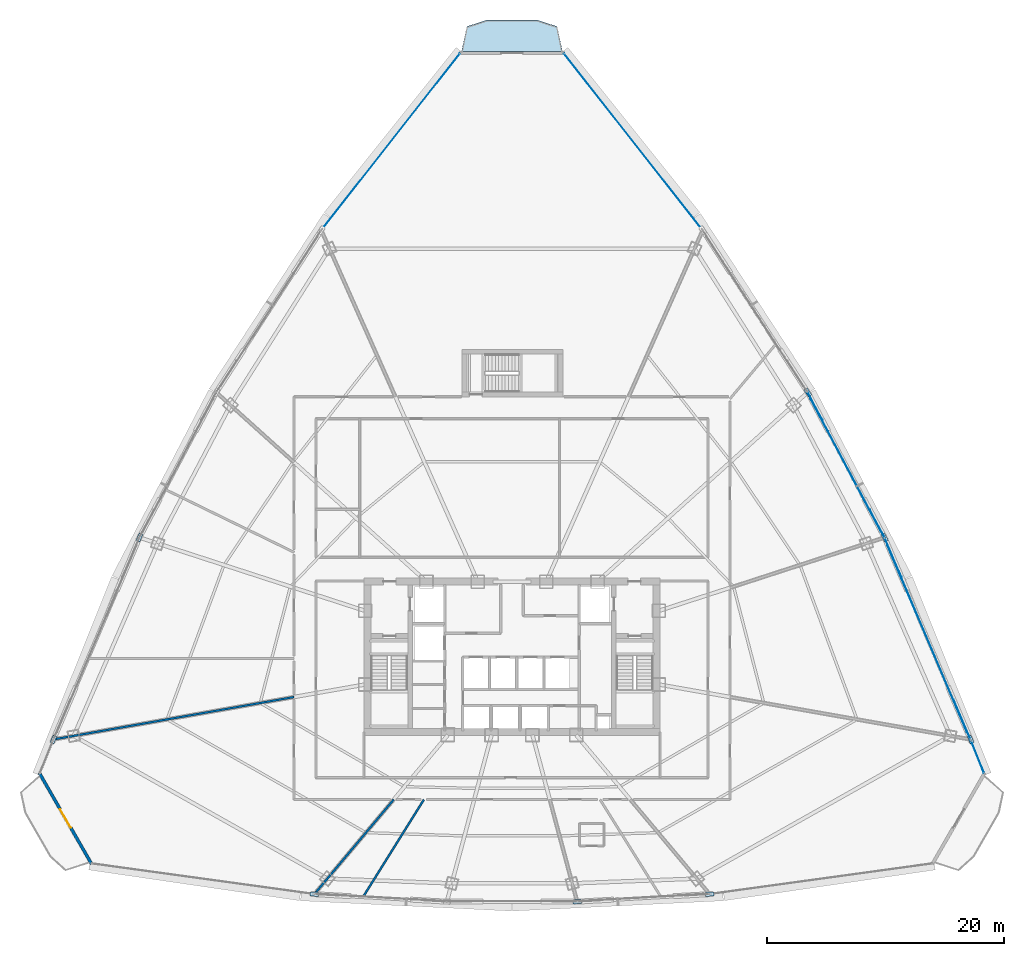
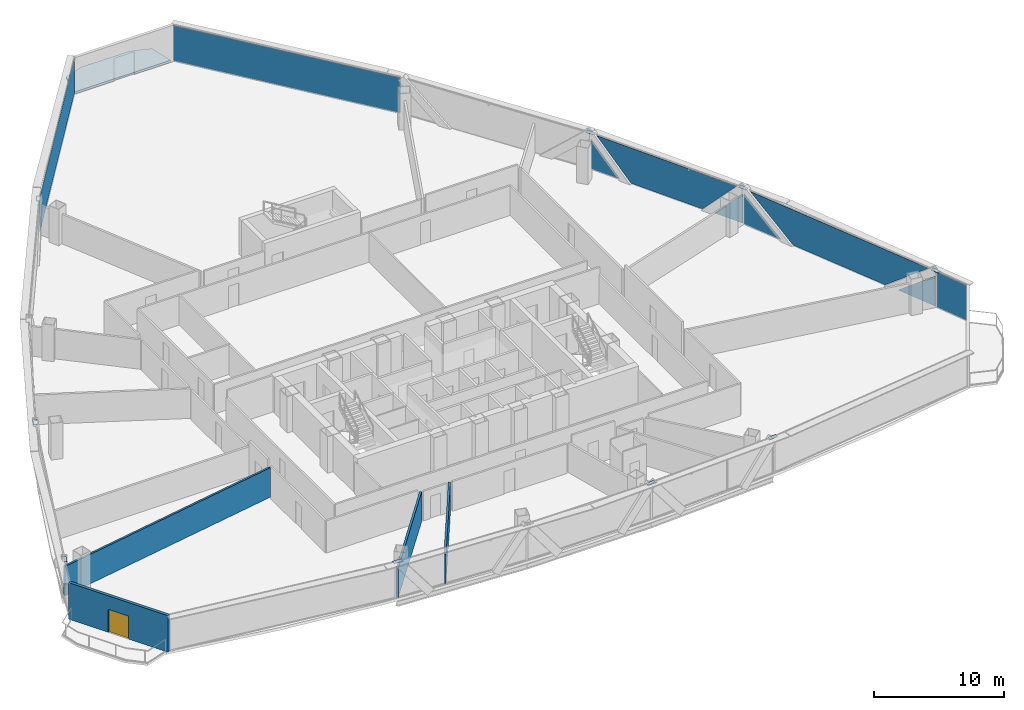
# One storey, part 31 of 39: 17 plates, 4 walls, 1 door, 1 slab, 1 opening, 5 elements without a shape of their own.
"""IFC4 building model written with IfcOpenShell, lengths in metres."""

import ifcopenshell
import ifcopenshell.guid

model = None  # the IFC model being written
_history = None  # IfcOwnerHistory: only IFC2X3 demands one
_inside = {}  # id of a spatial element -> (the spatial element, [elements in it])
_under = {}  # id of a project, library or spatial element -> (it, [spatial elements below it])
_declared = {}  # id of a project -> (the project, [libraries it declares])
_typed = {}  # id of a type object -> (the type object, [elements of that type])
_made_of = {}  # id of a material, layer set ... -> (it, [elements and type objects made of it])


def new_model(schema):
    """Start an empty IFC model of exactly this schema.

    Asked for "IFC4X3", IfcOpenShell would pick the latest addendum, in which some entities
    have other attributes; the version numbers below select the first issue.
    IFC2X3 requires an IfcOwnerHistory on every rooted entity: one is made here for all.
    """
    global model, _history
    if schema == "IFC4X3":
        model = ifcopenshell.file(schema_version=(4, 3, 0, 0))
    else:
        model = ifcopenshell.file(schema=schema)
    _inside.clear()
    _under.clear()
    _declared.clear()
    _typed.clear()
    _made_of.clear()
    _history = None
    if model.schema == "IFC2X3":
        org = make("IfcOrganization", Name="unknown")
        user = make(
            "IfcPersonAndOrganization",
            ThePerson=make("IfcPerson", FamilyName="unknown"),
            TheOrganization=org,
        )
        app = make(
            "IfcApplication",
            ApplicationDeveloper=org,
            Version="unknown",
            ApplicationFullName="unknown",
            ApplicationIdentifier="unknown",
        )
        _history = make(
            "IfcOwnerHistory",
            OwningUser=user,
            OwningApplication=app,
            ChangeAction="ADDED",
            CreationDate=0,
        )
    return model


def make(cls, **values):
    """One entity of the class cls with the attributes given. An attribute that is None is left unset."""
    return model.create_entity(
        cls, **{name: value for name, value in values.items() if value is not None}
    )


def rooted(cls, **values):
    """An entity with a GlobalId (a new one), such as an element, a storey or a relation."""
    return make(cls, GlobalId=ifcopenshell.guid.new(), OwnerHistory=_history, **values)


def si_unit(unit_type, name, prefix=None):
    """IfcSIUnit, for example si_unit("LENGTHUNIT", "METRE", prefix="MILLI")."""
    return make("IfcSIUnit", UnitType=unit_type, Prefix=prefix, Name=name)


def assignment(units):
    """IfcUnitAssignment: the units of a project."""
    return None if units is None else make("IfcUnitAssignment", Units=units)


def point(xyz):
    """IfcCartesianPoint."""
    return None if xyz is None else make("IfcCartesianPoint", Coordinates=xyz)


def direction(xyz):
    """IfcDirection."""
    return None if xyz is None else make("IfcDirection", DirectionRatios=xyz)


def frame(location, z_axis=None, x_axis=None):
    """IfcAxis2Placement3D, a coordinate frame: its origin and axes. An axis left out is left unset."""
    return make(
        "IfcAxis2Placement3D",
        Location=point(location),
        Axis=direction(z_axis),
        RefDirection=direction(x_axis),
    )


def frame_2d(location, x_axis=None):
    """IfcAxis2Placement2D, a coordinate frame in the plane: its origin and x axis."""
    return make(
        "IfcAxis2Placement2D", Location=point(location), RefDirection=direction(x_axis)
    )


def origin():
    """The frame at (0, 0, 0) with its axes left unset."""
    return frame((0.0, 0.0, 0.0))


def origin_with_axes():
    """The frame at (0, 0, 0) with the z axis (0, 0, 1) and the x axis (1, 0, 0) written out."""
    return frame((0.0, 0.0, 0.0), z_axis=(0.0, 0.0, 1.0), x_axis=(1.0, 0.0, 0.0))


def origin_2d():
    """The frame at (0, 0) in the plane with its x axis left unset."""
    return frame_2d((0.0, 0.0))


def place(relative_to, where):
    """IfcLocalPlacement: puts the frame where relative to a parent placement (None: the world)."""
    return make(
        "IfcLocalPlacement", PlacementRelTo=relative_to, RelativePlacement=where
    )


def context(
    kind, dimensions, precision=None, world=None, true_north=None, identifier=None
):
    """IfcGeometricRepresentationContext, for example the 3D "Model" context."""
    return make(
        "IfcGeometricRepresentationContext",
        ContextIdentifier=identifier,
        ContextType=kind,
        CoordinateSpaceDimension=dimensions,
        Precision=precision,
        WorldCoordinateSystem=world,
        TrueNorth=true_north,
    )


def subcontext(parent, identifier, kind, view, scale=None):
    """IfcGeometricRepresentationSubContext, for example "Body" below "Model"."""
    return make(
        "IfcGeometricRepresentationSubContext",
        ContextIdentifier=identifier,
        ContextType=kind,
        ParentContext=parent,
        TargetScale=scale,
        TargetView=view,
    )


def project(units=None, contexts=None):
    """IfcProject with its units and contexts."""
    return rooted(
        "IfcProject",
        Name="project",
        RepresentationContexts=contexts,
        UnitsInContext=assignment(units),
    )


def spatial(cls, under=None, at=None, **own):
    """A site, building, storey or space (cls), placed at a placement, below another one or the project."""
    s = rooted(cls, ObjectPlacement=at, **own)
    if under is not None:
        _under.setdefault(under.id(), (under, []))[1].append(s)
    return s


def polyline(points):
    """IfcPolyline through the points."""
    return make("IfcPolyline", Points=[point(p) for p in points])


def profile(cls, at=None, kind="AREA", **sizes):
    """A parametric profile (cls). Its sizes go by their IFC names, for example OverallWidth=200.0."""
    return make(cls, ProfileType=kind, Position=at, **sizes)


def rectangle(**sizes):
    """IfcRectangleProfileDef."""
    return profile("IfcRectangleProfileDef", **sizes)


def outline(outer, holes=None, kind="AREA"):
    """IfcArbitraryClosedProfileDef: a profile drawn as a closed curve; with holes, ...WithVoids."""
    if holes is None:
        return make("IfcArbitraryClosedProfileDef", ProfileType=kind, OuterCurve=outer)
    return make(
        "IfcArbitraryProfileDefWithVoids",
        ProfileType=kind,
        OuterCurve=outer,
        InnerCurves=holes,
    )


def extrude(swept, where, along, depth):
    """IfcExtrudedAreaSolid: the profile swept, set in the frame where, extruded along a direction by depth."""
    return make(
        "IfcExtrudedAreaSolid",
        SweptArea=swept,
        Position=where,
        ExtrudedDirection=direction(along),
        Depth=depth,
    )


def shape(context_of_items, identifier, shape_type, items):
    """IfcShapeRepresentation: the items that make up one representation, for example the "Body"."""
    return make(
        "IfcShapeRepresentation",
        ContextOfItems=context_of_items,
        RepresentationIdentifier=identifier,
        RepresentationType=shape_type,
        Items=items,
    )


def source(mapping_origin, context_of_items, identifier, shape_type, items):
    """IfcRepresentationMap: a shape defined once, which mapped items show again and again."""
    return make(
        "IfcRepresentationMap",
        MappingOrigin=mapping_origin,
        MappedRepresentation=shape(context_of_items, identifier, shape_type, items),
    )


def transform(
    local_origin,
    x_axis=None,
    y_axis=None,
    z_axis=None,
    scale=None,
    scale2=None,
    scale3=None,
    uniform=True,
):
    """IfcCartesianTransformationOperator3D, or its non-uniform kind. x_axis, y_axis, z_axis: its Axis1, 2, 3."""
    if uniform:
        return make(
            "IfcCartesianTransformationOperator3D",
            Axis1=direction(x_axis),
            Axis2=direction(y_axis),
            LocalOrigin=point(local_origin),
            Scale=scale,
            Axis3=direction(z_axis),
        )
    return make(
        "IfcCartesianTransformationOperator3DnonUniform",
        Axis1=direction(x_axis),
        Axis2=direction(y_axis),
        LocalOrigin=point(local_origin),
        Scale=scale,
        Axis3=direction(z_axis),
        Scale2=scale2,
        Scale3=scale3,
    )


def mapped(mapping_source, mapping_target):
    """IfcMappedItem: shows the shape of a source again, moved by a transform."""
    return make(
        "IfcMappedItem", MappingSource=mapping_source, MappingTarget=mapping_target
    )


def material(Name=None, Category=None):
    """IfcMaterial."""
    return make("IfcMaterial", Name=Name, Category=Category)


def layer(
    of_material, thickness, ventilated=None, Name=None, Category=None, Priority=None
):
    """IfcMaterialLayer: one layer of a wall or slab, of a material (None: an air gap)."""
    return make(
        "IfcMaterialLayer",
        Material=of_material,
        LayerThickness=thickness,
        IsVentilated=ventilated,
        Name=Name,
        Category=Category,
        Priority=Priority,
    )


def layer_set(layers, Name=None):
    """IfcMaterialLayerSet."""
    return make("IfcMaterialLayerSet", MaterialLayers=layers, LayerSetName=Name)


def made_of(thing, what):
    """Note that an element or type object is made of a material, layer set ...; save() writes the relation."""
    if what is not None:
        _made_of.setdefault(what.id(), (what, []))[1].append(thing)
    return thing


def type_object(cls, material=None, **own):
    """A type object (cls), such as IfcWallType, which elements share."""
    return made_of(rooted(cls, **own), material)


def element(
    cls,
    number,
    at=None,
    inside=None,
    cuts=None,
    type_object=None,
    material=None,
    context=None,
    identifier="Body",
    shape_type=None,
    held_by="IfcProductDefinitionShape",
    body=None,
    shapes=None,
    **own,
):
    """One element of the class cls, such as IfcWall. Its Tag is "e" and its number.

    at: its placement. inside: the storey or other place that contains it. cuts: it is an
    opening in that element (IfcRelVoidsElement). A single representation is given by context,
    identifier, shape_type and body (its items); several are given by shapes. held_by: the class
    of the entity that holds the representations. save() writes the other relations.
    """
    e = rooted(cls, Tag="e%d" % number, ObjectPlacement=at, **own)
    if body is not None:
        shapes = [shape(context, identifier, shape_type, body)]
    if shapes is not None:
        e.Representation = make(held_by, Representations=shapes)
    if inside is not None:
        _inside.setdefault(inside.id(), (inside, []))[1].append(e)
    if cuts is not None:
        rooted(
            "IfcRelVoidsElement", RelatingBuildingElement=cuts, RelatedOpeningElement=e
        )
    if type_object is not None:
        _typed.setdefault(type_object.id(), (type_object, []))[1].append(e)
    return made_of(e, material)


def fill(opening, filler):
    """IfcRelFillsElement: the door or window that sits in an opening."""
    return rooted(
        "IfcRelFillsElement",
        RelatingOpeningElement=opening,
        RelatedBuildingElement=filler,
    )


def aggregate(whole, parts):
    """IfcRelAggregates: a whole, such as a stair, and the parts it consists of."""
    return rooted("IfcRelAggregates", RelatingObject=whole, RelatedObjects=parts)


def save(model, path):
    """Write the relations noted so far, then the file.

    IfcRelAggregates (storeys below a building ...), IfcRelContainedInSpatialStructure (elements
    in a storey), IfcRelDefinesByType, IfcRelAssociatesMaterial and IfcRelDeclares: one each for
    every whole, place, type object, material and project.
    """
    for whole, parts in _under.values():
        aggregate(whole, parts)
    for where, things in _inside.values():
        rooted(
            "IfcRelContainedInSpatialStructure",
            RelatedElements=things,
            RelatingStructure=where,
        )
    for kind, things in _typed.values():
        rooted("IfcRelDefinesByType", RelatedObjects=things, RelatingType=kind)
    for what, things in _made_of.values():
        rooted("IfcRelAssociatesMaterial", RelatedObjects=things, RelatingMaterial=what)
    for by, libraries in _declared.values():
        rooted("IfcRelDeclares", RelatingContext=by, RelatedDefinitions=libraries)
    model.write(path)


model = new_model("IFC4")

# Units and contexts
model_context = context("Model", 3, precision=1e-05, world=origin(), true_north=direction((0.0, 1.0)))
body_context = subcontext(model_context, "Body", "Model", "MODEL_VIEW")
ifc_project = project(units=[si_unit("LENGTHUNIT", "METRE"), si_unit("AREAUNIT", "SQUARE_METRE"), si_unit("VOLUMEUNIT", "CUBIC_METRE"), si_unit("PLANEANGLEUNIT", "RADIAN"), si_unit("MASSUNIT", "GRAM", prefix="KILO"), si_unit("THERMODYNAMICTEMPERATUREUNIT", "KELVIN"), si_unit("POWERUNIT", "WATT")], contexts=[model_context])

# Site, building, storey
site_placement = place(None, origin())
site = spatial("IfcSite", under=ifc_project, at=site_placement, CompositionType="ELEMENT")
building_placement = place(site_placement, origin())
building = spatial("IfcBuilding", under=site, at=building_placement, Name="Yunzhuo Pagoda Commons", CompositionType="ELEMENT")
storey_placement = place(building_placement, frame((0.0, 0.0, 140.8701171875)))
storey = spatial("IfcBuildingStorey", under=building, at=storey_placement, Name="L35", CompositionType="ELEMENT", Elevation=140.8701171875)

# Curtain wall, plates
ifc_material_1 = material(Name="Anodized aluminium 6063-T6", Category="aluminium")
ifc_layer_1 = layer(ifc_material_1, 0.14990234375)
ifc_layer_set_1 = layer_set([ifc_layer_1], Name="Anodized aluminium 6063-T6")
curtain_wall_type = type_object("IfcCurtainWallType", Name="CW-MID Mid-Zone Ribbon Curtain Wall", PredefinedType="NOTDEFINED", material=ifc_layer_set_1)
curtain_wall_1_placement = place(storey_placement, origin())
curtain_wall_1 = element("IfcCurtainWall", 1, at=curtain_wall_1_placement, inside=storey, type_object=curtain_wall_type, Name="L35 curtain wall CW-L35-F2B2", PredefinedType="NOTDEFINED")
ifc_material_2 = material(Name="Tempered low-e double glazing", Category="glass")
ifc_layer_2 = layer(ifc_material_2, 0.028076171875)
ifc_layer_set_2 = layer_set([ifc_layer_2], Name="Tempered low-e double glazing")
plate_type_1 = type_object("IfcPlateType", Name="CW-MID-P Low-E Double Glazing 28", PredefinedType="CURTAIN_PANEL", material=ifc_layer_set_2)
plate_1_placement = place(storey_placement, frame((85.974365234375, 28.563720703125, 1.470947265625), z_axis=(0.920072228059, 0.391748765351, 0.0), x_axis=(-0.391748765351, 0.920072228059, 0.0)))
plate_1 = element("IfcPlate", 2, at=plate_1_placement, type_object=plate_type_1, Name="CW panel 1.1 lite 1", PredefinedType="CURTAIN_PANEL", context=body_context, shape_type="SweptSolid", body=[
    extrude(outline(polyline([(-1.781982421875, -1.416015625), (1.781982421875, -1.416015625), (-1.781982421875, 1.416015625), (-1.781982421875, -1.416015625)])), origin(), (0.0, 0.0, 1.0), 0.028076171875),
])
plate_2_placement = place(storey_placement, frame((83.039794921875, 35.379638671875, 1.7099609375), z_axis=(0.920072228059, 0.391748765351, 0.0), x_axis=(-0.391748765351, 0.920072228059, 0.0)))
plate_2 = element("IfcPlate", 3, at=plate_2_placement, type_object=plate_type_1, Name="CW panel 1.1 lite 2", PredefinedType="CURTAIN_PANEL", context=body_context, shape_type="SweptSolid", body=[
    extrude(outline(polyline([(-8.58251953125, 1.655029296875), (-4.4169921875, -1.655029296875), (4.4169921875, -1.655029296875), (8.58251953125, 1.655029296875), (-8.58251953125, 1.655029296875)])), origin(), (0.0, 0.0, 1.0), 0.028076171875),
])
plate_3_placement = place(storey_placement, frame((80.160400390625, 42.218994140625, 1.470947265625), z_axis=(0.920072228059, 0.391748765351, 0.0), x_axis=(-0.391748765351, 0.920072228059, 0.0)))
plate_3 = element("IfcPlate", 4, at=plate_3_placement, type_object=plate_type_1, Name="CW panel 1.1 lite 3", PredefinedType="CURTAIN_PANEL", context=body_context, shape_type="SweptSolid", body=[
    extrude(outline(polyline([(-1.781982421875, -1.416015625), (1.781982421875, -1.416015625), (1.781982421875, 1.416015625), (-1.781982421875, -1.416015625)])), origin(), (0.0, 0.0, 1.0), 0.028076171875),
])
aggregate(curtain_wall_1, [plate_1, plate_2, plate_3])

curtain_wall_2_placement = place(storey_placement, origin())
curtain_wall_2 = element("IfcCurtainWall", 5, at=curtain_wall_2_placement, inside=storey, type_object=curtain_wall_type, Name="L35 curtain wall CW-L35-F2B3", PredefinedType="NOTDEFINED")
plate_4_placement = place(storey_placement, frame((78.805908203125, 45.109619140625, 1.428466796875), z_axis=(0.883879096849, 0.467715449984, 0.0), x_axis=(-0.467715449984, 0.883879096849, 0.0)))
plate_4 = element("IfcPlate", 6, at=plate_4_placement, type_object=plate_type_1, Name="CW panel 1.1 lite 1", PredefinedType="CURTAIN_PANEL", context=body_context, shape_type="SweptSolid", body=[
    extrude(outline(polyline([(-1.294189453125, -1.37353515625), (1.294189453125, -1.37353515625), (-1.294189453125, 1.37353515625), (-1.294189453125, -1.37353515625)])), origin(), (0.0, 0.0, 1.0), 0.028076171875),
])
plate_5_placement = place(storey_placement, frame((76.169189453125, 50.0283203125, 1.7099609375), z_axis=(0.883879096849, 0.467715449984, 0.0), x_axis=(-0.467715449984, 0.883879096849, 0.0)))
plate_5 = element("IfcPlate", 7, at=plate_5_placement, type_object=plate_type_1, Name="CW panel 1.1 lite 2", PredefinedType="CURTAIN_PANEL", context=body_context, shape_type="SweptSolid", body=[
    extrude(outline(polyline([(-6.36083984375, 1.655029296875), (-3.2421875, -1.655029296875), (3.2421875, -1.655029296875), (6.36083984375, 1.655029296875), (-6.36083984375, 1.655029296875)])), origin(), (0.0, 0.0, 1.0), 0.028076171875),
])
plate_6_placement = place(storey_placement, frame((73.585693359375, 54.974853515625, 1.428466796875), z_axis=(0.883879096849, 0.467715449984, 0.0), x_axis=(-0.467715449984, 0.883879096849, 0.0)))
plate_6 = element("IfcPlate", 8, at=plate_6_placement, type_object=plate_type_1, Name="CW panel 1.1 lite 3", PredefinedType="CURTAIN_PANEL", context=body_context, shape_type="SweptSolid", body=[
    extrude(outline(polyline([(-1.294189453125, -1.37353515625), (1.294189453125, -1.37353515625), (1.294189453125, 1.37353515625), (-1.294189453125, -1.37353515625)])), origin(), (0.0, 0.0, 1.0), 0.028076171875),
])
aggregate(curtain_wall_2, [plate_4, plate_5, plate_6])

# Slab
ifc_material_3 = material(Name="Concrete C40", Category="concrete")
ifc_layer_3 = layer(ifc_material_3, 0.199951171875)
ifc_layer_set_3 = layer_set([ifc_layer_3], Name="Concrete C40")
slab_type = type_object("IfcSlabType", Name="SL-BAL Vertex Balcony Deck Slab 200", PredefinedType="FLOOR", material=ifc_layer_set_3)
slab_placement = place(storey_placement, frame((0.0, 0.0, -0.2001953125)))
element("IfcSlab", 9, at=slab_placement, inside=storey, type_object=slab_type, Name="L35 corner balcony V3", PredefinedType="FLOOR", context=body_context, shape_type="SweptSolid", body=[
    extrude(outline(polyline([(52.260986328125, 84.96337890625), (43.739013671875, 84.96337890625), (44.18896484375, 87.058349609375), (45.869384765625, 87.6083984375), (50.130615234375, 87.6083984375), (51.81103515625, 87.058349609375), (52.260986328125, 84.96337890625)])), origin(), (0.0, 0.0, 1.0), 0.2001953125),
])

# Plates
ifc_material_4 = material(Name="Structural steel Q355B", Category="steel")
ifc_layer_4 = layer(ifc_material_4, 0.028076171875)
ifc_layer_set_4 = layer_set([ifc_layer_4], Name="Structural steel Q355B")
plate_type_2 = type_object("IfcPlateType", Name="SP-ND1 Lattice Node Cap Plate 800x500x28", PredefinedType="USERDEFINED", material=ifc_layer_set_4)
shared_shape_1 = source(origin(), body_context, "Body", "SweptSolid", [
    extrude(rectangle(XDim=0.699951171875, YDim=0.35009765625, at=origin_2d()), origin(), (0.0, 0.0, 1.0), 0.035888671875),
])
for number, where, z_axis, x_axis, name in (
    (10, (31.314453125, 13.81494140625, 3.3818359375), (0.0, 0.0, 1.0), (0.998396614135, -0.056605661238, 0.0), "L35 setback lattice tie plate F1.1L"),
    (11, (53.498046875, 13.1806640625, 3.3818359375), (0.0, 0.0, 1.0), (0.998396614135, 0.056605661238, 0.0), "L35 setback lattice tie plate F1.3L"),
    (12, (64.685546875, 13.81494140625, 3.3818359375), (0.0, 0.0, 1.0), (0.998396614135, 0.056605661238, 0.0), "L35 setback lattice tie plate F1.3R"),
    (13, (86.708984375, 26.87451171875, 3.3818359375), (0.0, 0.0, 1.0), (-0.391743040033, 0.920074665767, 0.0), "L35 setback lattice tie plate F2.1L"),
    (14, (79.45166015625, 43.919189453125, 3.3818359375), (0.0, 0.0, 1.0), (-0.467713855613, 0.883879940528, 0.0), "L35 setback lattice tie plate F2.2L"),
    (15, (72.964599609375, 56.17822265625, 3.3818359375), (0.0, 0.0, 1.0), (-0.543643297406, 0.839316367758, 0.0), "L35 setback lattice tie plate F2.3L"),
    (16, (16.54833984375, 43.919189453125, 3.3818359375), (0.0, 0.0, 1.0), (-0.391743040033, -0.920074665767, 0.0), "L35 setback lattice tie plate F3.3L"),
    (17, (9.291015625, 26.87451171875, 3.3818359375), (0.0, 0.0, 1.0), (-0.391743040033, -0.920074665767, 0.0), "L35 setback lattice tie plate F3.3R"),
):
    element("IfcPlate", number, at=place(storey_placement, frame(where, z_axis=z_axis, x_axis=x_axis)), inside=storey, type_object=plate_type_2, Name=name, ObjectType="STIFFENER_PLATE", PredefinedType="USERDEFINED", context=body_context, shape_type="MappedRepresentation", body=[
        mapped(shared_shape_1, transform((0.0, 0.0, 0.0), scale=1.0)),
    ])

# Curtain wall, plate
curtain_wall_3_placement = place(storey_placement, origin())
curtain_wall_3 = element("IfcCurtainWall", 18, at=curtain_wall_3_placement, inside=storey, type_object=curtain_wall_type, Name="L35 curtain wall CW-L35-F2B1", PredefinedType="NOTDEFINED")
shared_shape_2 = source(origin(), body_context, "Body", "SweptSolid", [
    extrude(rectangle(XDim=2.91455078125, YDim=0.028076171875, at=origin_2d()), origin(), (0.0, 0.0, 1.0), 3.31005859375),
])
plate_7_placement = place(storey_placement, frame((87.303955078125, 25.3974609375, 0.054931640625), z_axis=(0.0, 0.0, 1.0), x_axis=(-0.373616750166, 0.927583162846, 0.0)))
plate_7 = element("IfcPlate", 19, at=plate_7_placement, type_object=plate_type_1, Name="CW panel 1.1", PredefinedType="CURTAIN_PANEL", context=body_context, shape_type="MappedRepresentation", body=[
    mapped(shared_shape_2, transform((0.0, 0.0, 0.0), scale=1.0)),
])
aggregate(curtain_wall_3, [plate_7])

curtain_wall_4_placement = place(storey_placement, origin())
curtain_wall_4 = element("IfcCurtainWall", 20, at=curtain_wall_4_placement, inside=storey, type_object=curtain_wall_type, Name="L35 curtain wall CW-L35-F2B5", PredefinedType="NOTDEFINED")
shared_shape_3 = source(origin(), body_context, "Body", "SweptSolid", [
    extrude(rectangle(XDim=18.82861328125, YDim=0.028076171875, at=origin_2d()), origin(), (0.0, 0.0, 1.0), 3.31005859375),
])
plate_8_placement = place(storey_placement, frame((58.205322265625, 77.375244140625, 0.054931640625), z_axis=(0.0, 0.0, 1.0), x_axis=(-0.617380481147, 0.786664694453, 0.0)))
plate_8 = element("IfcPlate", 21, at=plate_8_placement, type_object=plate_type_1, Name="CW panel 1.1", PredefinedType="CURTAIN_PANEL", context=body_context, shape_type="MappedRepresentation", body=[
    mapped(shared_shape_3, transform((0.0, 0.0, 0.0), scale=1.0)),
])
aggregate(curtain_wall_4, [plate_8])

curtain_wall_5_placement = place(storey_placement, origin())
curtain_wall_5 = element("IfcCurtainWall", 22, at=curtain_wall_5_placement, inside=storey, type_object=curtain_wall_type, Name="L35 curtain wall CW-L35-F3B1", PredefinedType="NOTDEFINED")
plate_9_placement = place(storey_placement, frame((37.794677734375, 77.375244140625, 0.054931640625), z_axis=(0.0, 0.0, 1.0), x_axis=(-0.617380481147, -0.786664694453, 0.0)))
plate_9 = element("IfcPlate", 23, at=plate_9_placement, type_object=plate_type_1, Name="CW panel 1.1", PredefinedType="CURTAIN_PANEL", context=body_context, shape_type="MappedRepresentation", body=[
    mapped(shared_shape_3, transform((0.0, 0.0, 0.0), scale=1.0)),
])
aggregate(curtain_wall_5, [plate_9])

# Wall, opening, door
ifc_material_5 = material(Name="Precast concrete C40", Category="concrete")
ifc_layer_5 = layer(ifc_material_5, 0.260009765625)
ifc_layer_set_5 = layer_set([ifc_layer_5], Name="Precast concrete C40")
wall_type_1 = type_object("IfcWallType", Name="W-BAL1 Corner Balcony Threshold Wall 260", PredefinedType="STANDARD", material=ifc_layer_set_5)
wall_1_placement = place(storey_placement, frame((8.101806640625, 24.037841796875, 0.0), z_axis=(0.0, 0.0, 1.0), x_axis=(0.497915888941, -0.867225326856, 0.0)))
wall_1 = element("IfcWall", 24, at=wall_1_placement, inside=storey, type_object=wall_type_1, Name="L35 corner balcony wall V1", PredefinedType="STANDARD", context=body_context, shape_type="SweptSolid", body=[
    extrude(rectangle(XDim=8.857666015625, YDim=0.260009765625, at=frame_2d((4.4287109375, 0.0))), origin(), (0.0, 0.0, 1.0), 3.419921875),
])
opening_placement = place(wall_1_placement, frame((3.52880859375, 0.0, 0.0)))
opening = element("IfcOpeningElement", 25, at=opening_placement, cuts=wall_1, Name="Opening D-BAL1", PredefinedType="OPENING", context=body_context, shape_type="SweptSolid", body=[
    extrude(rectangle(XDim=1.800048828125, YDim=2.14990234375, at=frame_2d((0.89990234375, 1.074951171875))), frame((0.0, 0.14013671875, 0.0), z_axis=(0.0, -1.0, 0.0), x_axis=(1.0, 0.0, 0.0)), (0.0, 0.0, 1.0), 0.280029296875),
])
ifc_material_6 = material(Name="Anodized aluminium frame and tempered glazed leaf", Category="aluminium")
door_type = type_object("IfcDoorType", Name="D-BAL1 Corner Balcony Sliding Glazed Door 1800x2150", OperationType="DOUBLE_DOOR_SLIDING", PredefinedType="DOOR", material=ifc_material_6)
shared_shape_4 = source(origin(), body_context, "Body", "SweptSolid", [
    extrude(rectangle(XDim=1.800048828125, YDim=2.14990234375, at=frame_2d((0.89990234375, 1.074951171875))), frame((0.0, 0.02490234375, 0.0), z_axis=(0.0, -1.0, 0.0), x_axis=(1.0, 0.0, 0.0)), (0.0, 0.0, 1.0), 0.050048828125),
])
door_placement = place(opening_placement, origin_with_axes())
door = element("IfcDoor", 26, at=door_placement, inside=storey, type_object=door_type, Name="L35 corner balcony sliding door V1", OperationType="DOUBLE_DOOR_SLIDING", OverallHeight=2.14990234375, OverallWidth=1.800048828125, PredefinedType="DOOR", context=body_context, shape_type="MappedRepresentation", body=[
    mapped(shared_shape_4, transform((0.0, 0.0, 0.0), scale=1.0)),
])
fill(opening, door)

# Walls
ifc_material_7 = material(Name="Gypsum plasterboard on acoustic stud")
ifc_layer_6 = layer(ifc_material_7, 0.175048828125)
ifc_layer_set_6 = layer_set([ifc_layer_6], Name="Gypsum plasterboard on acoustic stud")
wall_type_2 = type_object("IfcWallType", Name="W-PRT3 Mid-Zone Demising Wall 175", PredefinedType="PARTITIONING", material=ifc_layer_set_6)
wall_2_placement = place(storey_placement, frame((29.60009765625, 30.45556640625, 0.0), z_axis=(0.0, 0.0, 1.0), x_axis=(-0.984807623882, -0.173648909998, 0.0)))
element("IfcWall", 27, at=wall_2_placement, inside=storey, type_object=wall_type_2, Name="L35 interior wall IW-L35-RAD08", PredefinedType="PARTITIONING", context=body_context, shape_type="SweptSolid", body=[
    extrude(rectangle(XDim=20.622314453125, YDim=0.175048828125, at=frame_2d((10.31103515625, 0.0))), origin(), (0.0, 0.0, 1.0), 2.769775390625),
])
wall_3_placement = place(storey_placement, frame((38.0146484375, 21.800048828125, 0.0), z_axis=(0.0, 0.0, 1.0), x_axis=(-0.642781677101, -0.76604942111, 0.0)))
element("IfcWall", 28, at=wall_3_placement, inside=storey, type_object=wall_type_2, Name="L35 interior wall IW-L35-RAD09", PredefinedType="PARTITIONING", context=body_context, shape_type="SweptSolid", body=[
    extrude(rectangle(XDim=10.423828125, YDim=0.175048828125, at=frame_2d((5.2119140625, 0.0))), origin(), (0.0, 0.0, 1.0), 2.769775390625),
])
wall_4_placement = place(storey_placement, frame((40.564208984375, 21.800048828125, 0.0), z_axis=(0.0, 0.0, 1.0), x_axis=(-0.529931002604, -0.848040761096, 0.0)))
element("IfcWall", 29, at=wall_4_placement, inside=storey, type_object=wall_type_2, Name="L35 interior wall IW-L35-RAD10", PredefinedType="PARTITIONING", context=body_context, shape_type="SweptSolid", body=[
    extrude(rectangle(XDim=9.69091796875, YDim=0.175048828125, at=frame_2d((4.845458984375, 0.0))), origin(), (0.0, 0.0, 1.0), 2.769775390625),
])

save(model, "model.ifc")
